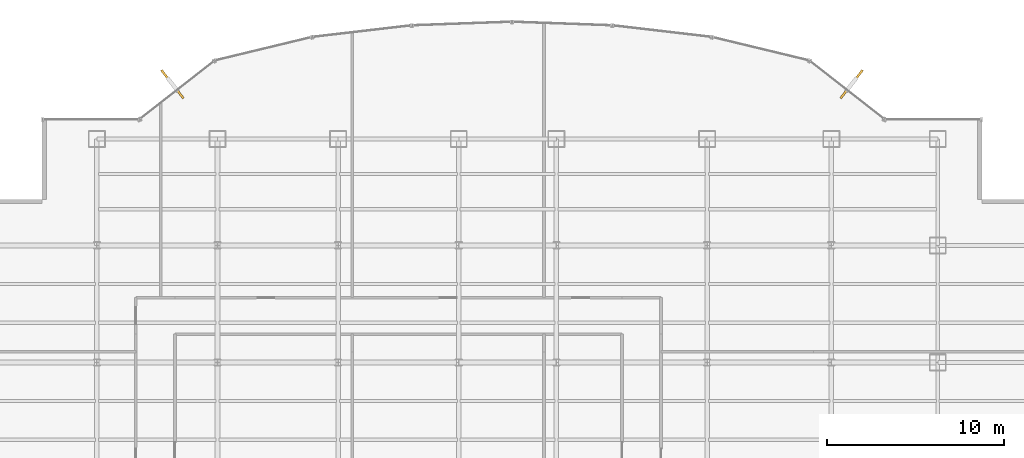
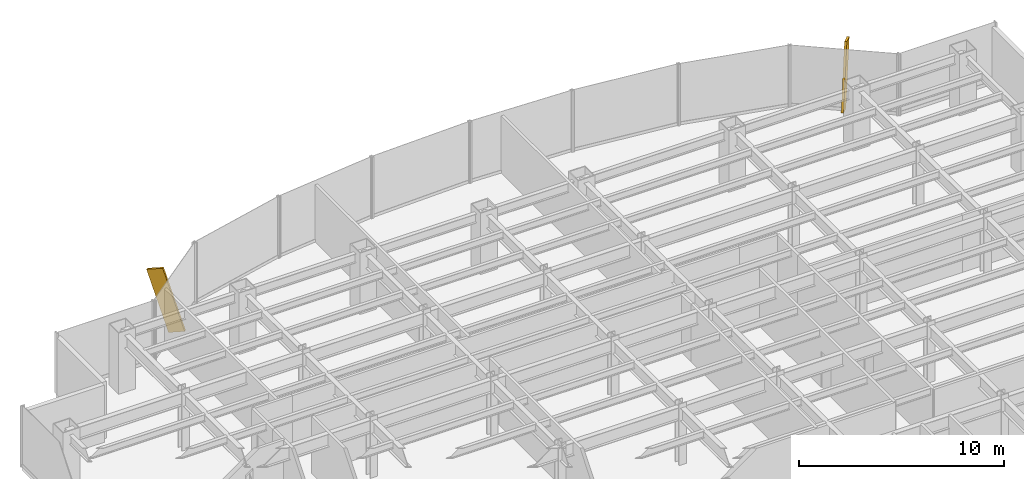
# One storey, part 22 of 23: 2 shading devices.
"""IFC4 building model written with IfcOpenShell, lengths in metres."""

from ifc_helpers import new_model, si_unit, derived_unit, direction, frame, origin, origin_2d, place, context, subcontext, project, spatial, rectangle, extrude, source, transform, mapped, material, type_object, element, save


model = new_model("IFC4")

# Units and contexts
model_context = context("Model", 3, precision=1e-05, world=origin(), true_north=direction((0.0, 1.0)))
body_context = subcontext(model_context, "Body", "Model", "MODEL_VIEW")
ifc_project = project(units=[si_unit("LENGTHUNIT", "METRE"), si_unit("AREAUNIT", "SQUARE_METRE"), si_unit("VOLUMEUNIT", "CUBIC_METRE"), si_unit("PLANEANGLEUNIT", "RADIAN"), si_unit("MASSUNIT", "GRAM", prefix="KILO"), derived_unit("THERMALTRANSMITTANCEUNIT", [(si_unit("POWERUNIT", "WATT"), 1), (si_unit("LENGTHUNIT", "METRE"), -2), (si_unit("THERMODYNAMICTEMPERATUREUNIT", "KELVIN"), -1)])], contexts=[model_context])

# Site, building, storey
site_placement = place(None, origin())
site = spatial("IfcSite", under=ifc_project, at=site_placement, CompositionType="ELEMENT")
building_placement = place(site_placement, origin())
building = spatial("IfcBuilding", under=site, at=building_placement, Name="Skarnbrae Concourse Arena and Tower", CompositionType="ELEMENT")
storey_placement = place(building_placement, frame((0.0, 0.0, 54.39990234375)))
storey = spatial("IfcBuildingStorey", under=building, at=storey_placement, Name="L12", CompositionType="ELEMENT", Elevation=54.39990234375)

# Shading devices
ifc_material = material(Name="Bronze anodised aluminium 6063-T6", Category="aluminium")
shading_device_type = type_object("IfcShadingDeviceType", Name="SHD-BRONZE-FIN-900", PredefinedType="USERDEFINED", material=ifc_material)
shared_shape = source(origin(), body_context, "Body", "SweptSolid", [
    extrude(rectangle(XDim=0.1201171875, YDim=0.89990234375, at=origin_2d()), origin(), (0.0, 0.0, 1.0), 3.64990234375),
])
for number, where, z_axis, x_axis, name in (
    (1, (49.784423828125, 43.030029296875, 0.094970703125), (0.19580213261, 0.250317994447, 0.94815738489), (0.787656027369, -0.616115234797, 0.0), "L12 Outward-leaning bronze shading fin 08"),
    (2, (12.215576171875, 43.030029296875, 0.094970703125), (-0.19580213261, 0.250317994447, 0.94815738489), (0.787656027369, 0.616115234797, 0.0), "L12 Outward-leaning bronze shading fin 15"),
):
    element("IfcShadingDevice", number, at=place(storey_placement, frame(where, z_axis=z_axis, x_axis=x_axis)), inside=storey, type_object=shading_device_type, Name=name, ObjectType="FIN", PredefinedType="USERDEFINED", context=body_context, shape_type="MappedRepresentation", body=[
        mapped(shared_shape, transform((0.0, 0.0, 0.0))),
    ])

save(model, "model.ifc")
